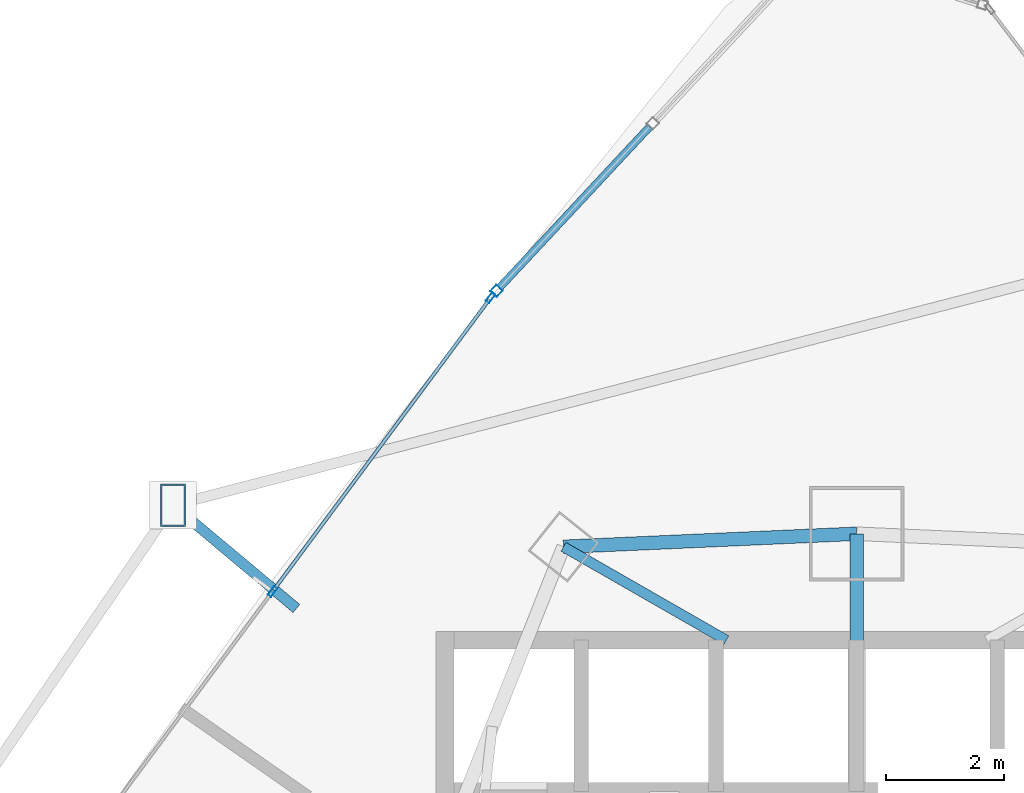
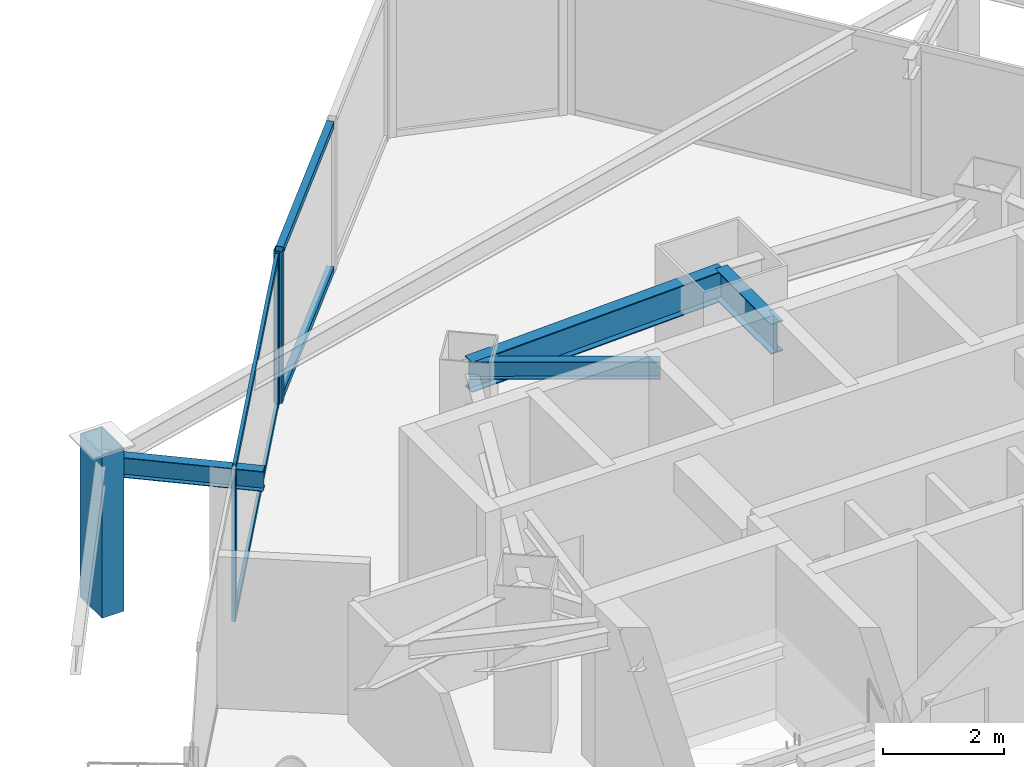
# One storey, part 21 of 33: 8 members, 4 beams, 2 elements without a shape of their own.
"""IFC4 building model written with IfcOpenShell, lengths in metres."""

import ifcopenshell
import ifcopenshell.guid

model = None  # the IFC model being written
_history = None  # IfcOwnerHistory: only IFC2X3 demands one
_inside = {}  # id of a spatial element -> (the spatial element, [elements in it])
_under = {}  # id of a project, library or spatial element -> (it, [spatial elements below it])
_declared = {}  # id of a project -> (the project, [libraries it declares])
_typed = {}  # id of a type object -> (the type object, [elements of that type])
_made_of = {}  # id of a material, layer set ... -> (it, [elements and type objects made of it])


def new_model(schema):
    """Start an empty IFC model of exactly this schema.

    Asked for "IFC4X3", IfcOpenShell would pick the latest addendum, in which some entities
    have other attributes; the version numbers below select the first issue.
    IFC2X3 requires an IfcOwnerHistory on every rooted entity: one is made here for all.
    """
    global model, _history
    if schema == "IFC4X3":
        model = ifcopenshell.file(schema_version=(4, 3, 0, 0))
    else:
        model = ifcopenshell.file(schema=schema)
    _inside.clear()
    _under.clear()
    _declared.clear()
    _typed.clear()
    _made_of.clear()
    _history = None
    if model.schema == "IFC2X3":
        org = make("IfcOrganization", Name="unknown")
        user = make(
            "IfcPersonAndOrganization",
            ThePerson=make("IfcPerson", FamilyName="unknown"),
            TheOrganization=org,
        )
        app = make(
            "IfcApplication",
            ApplicationDeveloper=org,
            Version="unknown",
            ApplicationFullName="unknown",
            ApplicationIdentifier="unknown",
        )
        _history = make(
            "IfcOwnerHistory",
            OwningUser=user,
            OwningApplication=app,
            ChangeAction="ADDED",
            CreationDate=0,
        )
    return model


def make(cls, **values):
    """One entity of the class cls with the attributes given. An attribute that is None is left unset."""
    return model.create_entity(
        cls, **{name: value for name, value in values.items() if value is not None}
    )


def rooted(cls, **values):
    """An entity with a GlobalId (a new one), such as an element, a storey or a relation."""
    return make(cls, GlobalId=ifcopenshell.guid.new(), OwnerHistory=_history, **values)


def si_unit(unit_type, name, prefix=None):
    """IfcSIUnit, for example si_unit("LENGTHUNIT", "METRE", prefix="MILLI")."""
    return make("IfcSIUnit", UnitType=unit_type, Prefix=prefix, Name=name)


def assignment(units):
    """IfcUnitAssignment: the units of a project."""
    return None if units is None else make("IfcUnitAssignment", Units=units)


def point(xyz):
    """IfcCartesianPoint."""
    return None if xyz is None else make("IfcCartesianPoint", Coordinates=xyz)


def direction(xyz):
    """IfcDirection."""
    return None if xyz is None else make("IfcDirection", DirectionRatios=xyz)


def frame(location, z_axis=None, x_axis=None):
    """IfcAxis2Placement3D, a coordinate frame: its origin and axes. An axis left out is left unset."""
    return make(
        "IfcAxis2Placement3D",
        Location=point(location),
        Axis=direction(z_axis),
        RefDirection=direction(x_axis),
    )


def frame_2d(location, x_axis=None):
    """IfcAxis2Placement2D, a coordinate frame in the plane: its origin and x axis."""
    return make(
        "IfcAxis2Placement2D", Location=point(location), RefDirection=direction(x_axis)
    )


def origin():
    """The frame at (0, 0, 0) with its axes left unset."""
    return frame((0.0, 0.0, 0.0))


def origin_2d():
    """The frame at (0, 0) in the plane with its x axis left unset."""
    return frame_2d((0.0, 0.0))


def place(relative_to, where):
    """IfcLocalPlacement: puts the frame where relative to a parent placement (None: the world)."""
    return make(
        "IfcLocalPlacement", PlacementRelTo=relative_to, RelativePlacement=where
    )


def context(
    kind, dimensions, precision=None, world=None, true_north=None, identifier=None
):
    """IfcGeometricRepresentationContext, for example the 3D "Model" context."""
    return make(
        "IfcGeometricRepresentationContext",
        ContextIdentifier=identifier,
        ContextType=kind,
        CoordinateSpaceDimension=dimensions,
        Precision=precision,
        WorldCoordinateSystem=world,
        TrueNorth=true_north,
    )


def subcontext(parent, identifier, kind, view, scale=None):
    """IfcGeometricRepresentationSubContext, for example "Body" below "Model"."""
    return make(
        "IfcGeometricRepresentationSubContext",
        ContextIdentifier=identifier,
        ContextType=kind,
        ParentContext=parent,
        TargetScale=scale,
        TargetView=view,
    )


def project(units=None, contexts=None):
    """IfcProject with its units and contexts."""
    return rooted(
        "IfcProject",
        Name="project",
        RepresentationContexts=contexts,
        UnitsInContext=assignment(units),
    )


def spatial(cls, under=None, at=None, **own):
    """A site, building, storey or space (cls), placed at a placement, below another one or the project."""
    s = rooted(cls, ObjectPlacement=at, **own)
    if under is not None:
        _under.setdefault(under.id(), (under, []))[1].append(s)
    return s


def profile(cls, at=None, kind="AREA", **sizes):
    """A parametric profile (cls). Its sizes go by their IFC names, for example OverallWidth=200.0."""
    return make(cls, ProfileType=kind, Position=at, **sizes)


def hollow_rectangle(**sizes):
    """IfcRectangleHollowProfileDef."""
    return profile("IfcRectangleHollowProfileDef", **sizes)


def i_section(**sizes):
    """IfcIShapeProfileDef."""
    return profile("IfcIShapeProfileDef", **sizes)


def extrude(swept, where, along, depth):
    """IfcExtrudedAreaSolid: the profile swept, set in the frame where, extruded along a direction by depth."""
    return make(
        "IfcExtrudedAreaSolid",
        SweptArea=swept,
        Position=where,
        ExtrudedDirection=direction(along),
        Depth=depth,
    )


def shape(context_of_items, identifier, shape_type, items):
    """IfcShapeRepresentation: the items that make up one representation, for example the "Body"."""
    return make(
        "IfcShapeRepresentation",
        ContextOfItems=context_of_items,
        RepresentationIdentifier=identifier,
        RepresentationType=shape_type,
        Items=items,
    )


def material(Name=None, Category=None):
    """IfcMaterial."""
    return make("IfcMaterial", Name=Name, Category=Category)


def layer(
    of_material, thickness, ventilated=None, Name=None, Category=None, Priority=None
):
    """IfcMaterialLayer: one layer of a wall or slab, of a material (None: an air gap)."""
    return make(
        "IfcMaterialLayer",
        Material=of_material,
        LayerThickness=thickness,
        IsVentilated=ventilated,
        Name=Name,
        Category=Category,
        Priority=Priority,
    )


def layer_set(layers, Name=None):
    """IfcMaterialLayerSet."""
    return make("IfcMaterialLayerSet", MaterialLayers=layers, LayerSetName=Name)


def material_profile(
    of_material, cross_section, Name=None, Category=None, Priority=None
):
    """IfcMaterialProfile: a cross section and its material."""
    return make(
        "IfcMaterialProfile",
        Name=Name,
        Material=of_material,
        Profile=cross_section,
        Priority=Priority,
        Category=Category,
    )


def profile_set(profiles, Name=None, composite=None):
    """IfcMaterialProfileSet."""
    return make(
        "IfcMaterialProfileSet",
        Name=Name,
        MaterialProfiles=profiles,
        CompositeProfile=composite,
    )


def made_of(thing, what):
    """Note that an element or type object is made of a material, layer set ...; save() writes the relation."""
    if what is not None:
        _made_of.setdefault(what.id(), (what, []))[1].append(thing)
    return thing


def type_object(cls, material=None, **own):
    """A type object (cls), such as IfcWallType, which elements share."""
    return made_of(rooted(cls, **own), material)


def element(
    cls,
    number,
    at=None,
    inside=None,
    cuts=None,
    type_object=None,
    material=None,
    context=None,
    identifier="Body",
    shape_type=None,
    held_by="IfcProductDefinitionShape",
    body=None,
    shapes=None,
    **own,
):
    """One element of the class cls, such as IfcWall. Its Tag is "e" and its number.

    at: its placement. inside: the storey or other place that contains it. cuts: it is an
    opening in that element (IfcRelVoidsElement). A single representation is given by context,
    identifier, shape_type and body (its items); several are given by shapes. held_by: the class
    of the entity that holds the representations. save() writes the other relations.
    """
    e = rooted(cls, Tag="e%d" % number, ObjectPlacement=at, **own)
    if body is not None:
        shapes = [shape(context, identifier, shape_type, body)]
    if shapes is not None:
        e.Representation = make(held_by, Representations=shapes)
    if inside is not None:
        _inside.setdefault(inside.id(), (inside, []))[1].append(e)
    if cuts is not None:
        rooted(
            "IfcRelVoidsElement", RelatingBuildingElement=cuts, RelatedOpeningElement=e
        )
    if type_object is not None:
        _typed.setdefault(type_object.id(), (type_object, []))[1].append(e)
    return made_of(e, material)


def aggregate(whole, parts):
    """IfcRelAggregates: a whole, such as a stair, and the parts it consists of."""
    return rooted("IfcRelAggregates", RelatingObject=whole, RelatedObjects=parts)


def save(model, path):
    """Write the relations noted so far, then the file.

    IfcRelAggregates (storeys below a building ...), IfcRelContainedInSpatialStructure (elements
    in a storey), IfcRelDefinesByType, IfcRelAssociatesMaterial and IfcRelDeclares: one each for
    every whole, place, type object, material and project.
    """
    for whole, parts in _under.values():
        aggregate(whole, parts)
    for where, things in _inside.values():
        rooted(
            "IfcRelContainedInSpatialStructure",
            RelatedElements=things,
            RelatingStructure=where,
        )
    for kind, things in _typed.values():
        rooted("IfcRelDefinesByType", RelatedObjects=things, RelatingType=kind)
    for what, things in _made_of.values():
        rooted("IfcRelAssociatesMaterial", RelatedObjects=things, RelatingMaterial=what)
    for by, libraries in _declared.values():
        rooted("IfcRelDeclares", RelatingContext=by, RelatedDefinitions=libraries)
    model.write(path)


model = new_model("IFC4")

# Units and contexts
model_context = context("Model", 3, precision=1e-05, world=origin(), true_north=direction((0.0, 1.0)))
body_context = subcontext(model_context, "Body", "Model", "MODEL_VIEW")
ifc_project = project(units=[si_unit("LENGTHUNIT", "METRE"), si_unit("AREAUNIT", "SQUARE_METRE"), si_unit("VOLUMEUNIT", "CUBIC_METRE"), si_unit("PLANEANGLEUNIT", "RADIAN"), si_unit("MASSUNIT", "GRAM", prefix="KILO")], contexts=[model_context])

# Site, building, storey
site_placement = place(None, origin())
site = spatial("IfcSite", under=ifc_project, at=site_placement, CompositionType="ELEMENT")
building_placement = place(site_placement, origin())
building = spatial("IfcBuilding", under=site, at=building_placement, Name="Orvanel Arch Residences", CompositionType="ELEMENT")
storey_placement = place(building_placement, frame((0.0, 0.0, 70.85009765625)))
storey = spatial("IfcBuildingStorey", under=building, at=storey_placement, Name="L19", CompositionType="ELEMENT", Elevation=70.85009765625)

# Beams
ifc_material_1 = material(Name="Structural steel AS/NZS 3679.1 Grade 300 (300 MPa)", Category="steel")
ifc_material_profile_1 = material_profile(ifc_material_1, i_section(OverallWidth=0.22900390625, OverallDepth=0.612060546875, WebThickness=0.011962890625, FlangeThickness=0.01953125, at=origin_2d()), Name="610UB125")
ifc_profile_set_1 = profile_set([ifc_material_profile_1], Name="Structural steel AS/NZS 3679.1 Grade 300 (300 MPa)")
beam_type_1 = type_object("IfcBeamType", Name="BG-610UB", PredefinedType="BEAM", material=ifc_profile_set_1)
beam_1_placement = place(storey_placement, frame((33.0, 39.550048828125, 2.75390625), z_axis=(0.0, 1.0, 0.0), x_axis=(-1.0, 0.0, 0.0)))
element("IfcBeam", 1, at=beam_1_placement, inside=storey, type_object=beam_type_1, Name="L19 North Radial Girder", PredefinedType="BEAM", context=body_context, shape_type="SweptSolid", body=[
    extrude(i_section(OverallWidth=0.22900390625, OverallDepth=0.612060546875, WebThickness=0.011962890625, FlangeThickness=0.01953125, at=origin_2d()), origin(), (0.0, 0.0, 1.0), 1.847900390625),
])
ifc_material_profile_2 = material_profile(ifc_material_1, i_section(OverallWidth=0.1708984375, OverallDepth=0.35595703125, WebThickness=0.00732421875, FlangeThickness=0.011474609375, at=origin_2d()), Name="360UB50.7")
ifc_profile_set_2 = profile_set([ifc_material_profile_2], Name="Structural steel AS/NZS 3679.1 Grade 300 (300 MPa)")
beam_type_2 = type_object("IfcBeamType", Name="BJ-360UB", PredefinedType="JOIST", material=ifc_profile_set_2)
beam_2_placement = place(storey_placement, frame((30.800048828125, 39.60009765625, 2.8818359375), z_axis=(-0.86736513383, 0.497672306458, 0.0), x_axis=(-0.497672306458, -0.86736513383, 0.0)))
element("IfcBeam", 2, at=beam_2_placement, inside=storey, type_object=beam_type_2, Name="L19 MNW Wing Floor Joist", PredefinedType="JOIST", context=body_context, shape_type="SweptSolid", body=[
    extrude(i_section(OverallWidth=0.1708984375, OverallDepth=0.35595703125, WebThickness=0.00732421875, FlangeThickness=0.011474609375, at=origin_2d()), origin(), (0.0, 0.0, 1.0), 3.17041015625),
])

# Member
ifc_material_2 = material(Name="Structural steel AS/NZS 3678 Grade 350", Category="steel")
ifc_material_profile_3 = material_profile(ifc_material_2, hollow_rectangle(XDim=0.419921875, YDim=0.719970703125, WallThickness=0.02490234375, at=origin_2d()), Name="RHS720x420x25")
ifc_profile_set_3 = profile_set([ifc_material_profile_3], Name="Structural steel AS/NZS 3678 Grade 350")
member_type_1 = type_object("IfcMemberType", Name="CH-720RHS-EXT", PredefinedType="CHORD", material=ifc_profile_set_3)
member_1_placement = place(storey_placement, frame((21.4580078125, 41.8798828125, 0.0), z_axis=(0.0, 0.0, 1.0), x_axis=(1.0, 0.0, 0.0)))
element("IfcMember", 3, at=member_1_placement, inside=storey, type_object=member_type_1, Name="L19 Outer Perimeter Frame Post 01", PredefinedType="CHORD", context=body_context, shape_type="SweptSolid", body=[
    extrude(hollow_rectangle(XDim=0.419921875, YDim=0.719970703125, WallThickness=0.02490234375, at=origin_2d()), origin(), (0.0, 0.0, 1.0), 3.2998046875),
])

# Curtain wall, member
ifc_material_3 = material(Name="Bronze-anodised aluminium AA6063-T6", Category="aluminium")
ifc_layer_1 = layer(ifc_material_3, 0.18994140625)
ifc_layer_set_1 = layer_set([ifc_layer_1], Name="Bronze-anodised aluminium AA6063-T6")
curtain_wall_type_1 = type_object("IfcCurtainWallType", Name="CW5-CRN-SYS", PredefinedType="NOTDEFINED", material=ifc_layer_set_1)
curtain_wall_1_placement = place(storey_placement, origin())
curtain_wall_1 = element("IfcCurtainWall", 4, at=curtain_wall_1_placement, inside=storey, type_object=curtain_wall_type_1, Name="L19 CW5-CRN-SYS Unitised Curtain Wall", PredefinedType="NOTDEFINED")
ifc_material_profile_4 = material_profile(ifc_material_3, hollow_rectangle(XDim=0.14990234375, YDim=0.14990234375, WallThickness=0.0048828125, at=origin_2d()), Name="ALU150x150x5")
ifc_profile_set_4 = profile_set([ifc_material_profile_4], Name="Bronze-anodised aluminium AA6063-T6")
member_type_2 = type_object("IfcMemberType", Name="MUL-150x150", PredefinedType="MULLION", material=ifc_profile_set_4)
member_2_placement = place(storey_placement, frame((26.918212890625, 45.496826171875, 0.0), z_axis=(0.0, 0.0, 1.0), x_axis=(0.731034183828, -0.682340840105, 0.0)))
member_2 = element("IfcMember", 5, at=member_2_placement, type_object=member_type_2, Name="CW-S5 mullion 3", PredefinedType="MULLION", context=body_context, shape_type="SweptSolid", body=[
    extrude(hollow_rectangle(XDim=0.14990234375, YDim=0.14990234375, WallThickness=0.0048828125, at=origin_2d()), origin(), (0.0, 0.0, 1.0), 3.059814453125),
])

# Curtain wall, members
ifc_layer_2 = layer(ifc_material_3, 0.179931640625)
ifc_layer_set_2 = layer_set([ifc_layer_2], Name="Bronze-anodised aluminium AA6063-T6")
curtain_wall_type_2 = type_object("IfcCurtainWallType", Name="CW2-LOW-SYS", PredefinedType="NOTDEFINED", material=ifc_layer_set_2)
curtain_wall_2_placement = place(storey_placement, origin())
curtain_wall_2 = element("IfcCurtainWall", 6, at=curtain_wall_2_placement, inside=storey, type_object=curtain_wall_type_2, Name="L19 CW2-LOW-SYS Unitised Curtain Wall", PredefinedType="NOTDEFINED")
ifc_material_profile_5 = material_profile(ifc_material_3, hollow_rectangle(XDim=0.070068359375, YDim=0.179931640625, WallThickness=0.00439453125, at=origin_2d()), Name="ALU180x70x4.5")
ifc_profile_set_5 = profile_set([ifc_material_profile_5], Name="Bronze-anodised aluminium AA6063-T6")
member_type_3 = type_object("IfcMemberType", Name="MUL-180x70", PredefinedType="MULLION", material=ifc_profile_set_5)
member_3_placement = place(storey_placement, frame((26.820068359375, 45.3828125, 0.0), z_axis=(0.0, 0.0, 1.0), x_axis=(0.802983727568, -0.596000950722, 0.0)))
member_3 = element("IfcMember", 7, at=member_3_placement, type_object=member_type_3, Name="CW-S2 mullion 1", PredefinedType="MULLION", context=body_context, shape_type="SweptSolid", body=[
    extrude(hollow_rectangle(XDim=0.070068359375, YDim=0.179931640625, WallThickness=0.00439453125, at=origin_2d()), origin(), (0.0, 0.0, 1.0), 3.059814453125),
])
member_4_placement = place(storey_placement, frame((23.137939453125, 40.422119140625, 0.0), z_axis=(0.0, 0.0, 1.0), x_axis=(0.802983727568, -0.596000950722, 0.0)))
member_4 = element("IfcMember", 8, at=member_4_placement, type_object=member_type_3, Name="CW-S2 mullion 2", PredefinedType="MULLION", context=body_context, shape_type="SweptSolid", body=[
    extrude(hollow_rectangle(XDim=0.070068359375, YDim=0.179931640625, WallThickness=0.00439453125, at=origin_2d()), origin(), (0.0, 0.0, 1.0), 3.059814453125),
])

# Beams
ifc_material_profile_6 = material_profile(ifc_material_1, i_section(OverallWidth=0.177978515625, OverallDepth=0.406005859375, WebThickness=0.0078125, FlangeThickness=0.0126953125, at=origin_2d()), Name="410UB59.7")
ifc_profile_set_6 = profile_set([ifc_material_profile_6], Name="Structural steel AS/NZS 3679.1 Grade 300 (300 MPa)")
beam_type_3 = type_object("IfcBeamType", Name="OB-410UB-EXT", PredefinedType="SPANDREL", material=ifc_profile_set_6)
beam_3_placement = place(storey_placement, frame((23.5419921875, 40.135986328125, 2.85693359375), z_axis=(-0.766908829703, 0.641756064968, 0.0), x_axis=(-0.641756064968, -0.766908829703, 0.0)))
element("IfcBeam", 9, at=beam_3_placement, inside=storey, type_object=beam_type_3, Name="L19 Outer Frame Radial Tie Beam 01", PredefinedType="SPANDREL", context=body_context, shape_type="SweptSolid", body=[
    extrude(i_section(OverallWidth=0.177978515625, OverallDepth=0.406005859375, WebThickness=0.0078125, FlangeThickness=0.0126953125, at=origin_2d()), origin(), (0.0, 0.0, 1.0), 2.71728515625),
])
ifc_material_profile_7 = material_profile(ifc_material_1, i_section(OverallWidth=0.22900390625, OverallDepth=0.612060546875, WebThickness=0.011962890625, FlangeThickness=0.01953125, at=origin_2d()), Name="610UB125")
ifc_profile_set_7 = profile_set([ifc_material_profile_7], Name="Structural steel AS/NZS 3679.1 Grade 300 (300 MPa)")
beam_type_4 = type_object("IfcBeamType", Name="SP-610UB", PredefinedType="SPANDREL", material=ifc_profile_set_7)
beam_4_placement = place(storey_placement, frame((33.0, 41.39794921875, 2.75390625), z_axis=(-0.999014049296, -0.044395149614, 0.0), x_axis=(0.044395149614, -0.999014049296, 0.0)))
element("IfcBeam", 10, at=beam_4_placement, inside=storey, type_object=beam_type_4, Name="L19 Perimeter Spandrel Beam 17", PredefinedType="SPANDREL", context=body_context, shape_type="SweptSolid", body=[
    extrude(i_section(OverallWidth=0.22900390625, OverallDepth=0.612060546875, WebThickness=0.011962890625, FlangeThickness=0.01953125, at=origin_2d()), origin(), (0.0, 0.0, 1.0), 4.954833984375),
])

# Member
ifc_material_profile_8 = material_profile(ifc_material_3, hollow_rectangle(XDim=0.1298828125, YDim=0.1298828125, WallThickness=0.00439453125, at=origin_2d()), Name="ALU130x130x4.5")
ifc_profile_set_8 = profile_set([ifc_material_profile_8], Name="Bronze-anodised aluminium AA6063-T6")
member_type_4 = type_object("IfcMemberType", Name="TRN-130x130", PredefinedType="USERDEFINED", material=ifc_profile_set_8)
member_5_placement = place(storey_placement, frame((29.50634765625, 48.269775390625, 0.06494140625), z_axis=(-0.682360360302, -0.731015963361, 0.0), x_axis=(0.731015963361, -0.682360360302, 0.0)))
member_5 = element("IfcMember", 11, at=member_5_placement, type_object=member_type_4, Name="CW-S5 transom 2.1", ObjectType="TRANSOM", PredefinedType="USERDEFINED", context=body_context, shape_type="SweptSolid", body=[
    extrude(hollow_rectangle(XDim=0.1298828125, YDim=0.1298828125, WallThickness=0.00439453125, at=origin_2d()), origin(), (0.0, 0.0, 1.0), 3.718017578125),
])

member_6_placement = place(storey_placement, frame((29.50634765625, 48.269775390625, 2.994873046875), z_axis=(-0.682360360302, -0.731015963361, 0.0), x_axis=(0.731015963361, -0.682360360302, 0.0)))
member_6 = element("IfcMember", 12, at=member_6_placement, type_object=member_type_4, Name="CW-S5 transom 2.2", ObjectType="TRANSOM", PredefinedType="USERDEFINED", context=body_context, shape_type="SweptSolid", body=[
    extrude(hollow_rectangle(XDim=0.1298828125, YDim=0.1298828125, WallThickness=0.00439453125, at=origin_2d()), origin(), (0.0, 0.0, 1.0), 3.718017578125),
])

aggregate(curtain_wall_1, [member_2, member_5, member_6])

ifc_material_profile_9 = material_profile(ifc_material_3, hollow_rectangle(XDim=0.06005859375, YDim=0.135009765625, WallThickness=0.00390625, at=origin_2d()), Name="ALU135x60x4")
ifc_profile_set_9 = profile_set([ifc_material_profile_9], Name="Bronze-anodised aluminium AA6063-T6")
member_type_5 = type_object("IfcMemberType", Name="TRN-135x60", PredefinedType="USERDEFINED", material=ifc_profile_set_9)
member_7_placement = place(storey_placement, frame((26.79931640625, 45.354736328125, 0.02978515625), z_axis=(-0.596008244944, -0.802978313505, 0.0), x_axis=(0.802978313505, -0.596008244944, 0.0)))
member_7 = element("IfcMember", 13, at=member_7_placement, type_object=member_type_5, Name="CW-S2 transom 1.1", ObjectType="TRANSOM", PredefinedType="USERDEFINED", context=body_context, shape_type="SweptSolid", body=[
    extrude(hollow_rectangle(XDim=0.06005859375, YDim=0.135009765625, WallThickness=0.00390625, at=origin_2d()), origin(), (0.0, 0.0, 1.0), 6.10791015625),
])

member_8_placement = place(storey_placement, frame((26.79931640625, 45.354736328125, 3.02978515625), z_axis=(-0.596008244944, -0.802978313505, 0.0), x_axis=(0.802978313505, -0.596008244944, 0.0)))
member_8 = element("IfcMember", 14, at=member_8_placement, type_object=member_type_5, Name="CW-S2 transom 1.2", ObjectType="TRANSOM", PredefinedType="USERDEFINED", context=body_context, shape_type="SweptSolid", body=[
    extrude(hollow_rectangle(XDim=0.06005859375, YDim=0.135009765625, WallThickness=0.00390625, at=origin_2d()), origin(), (0.0, 0.0, 1.0), 6.10791015625),
])

aggregate(curtain_wall_2, [member_3, member_4, member_7, member_8])

save(model, "model.ifc")
